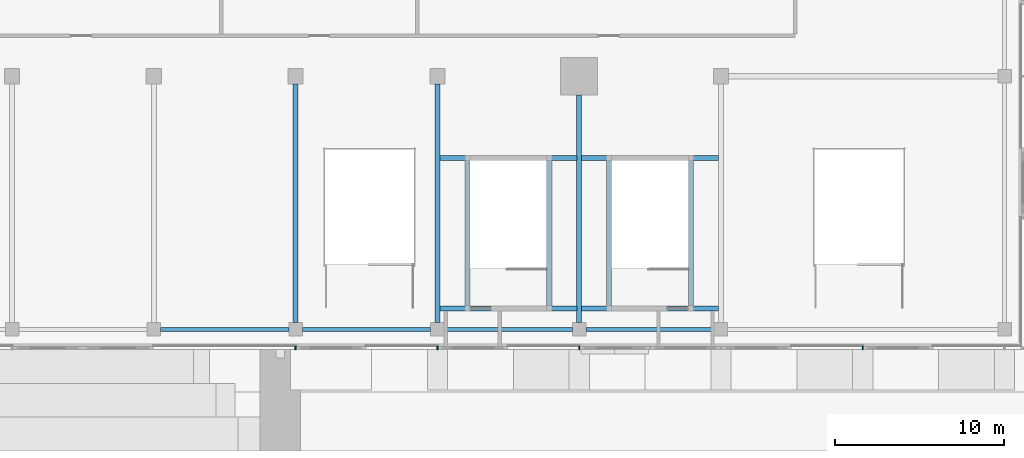
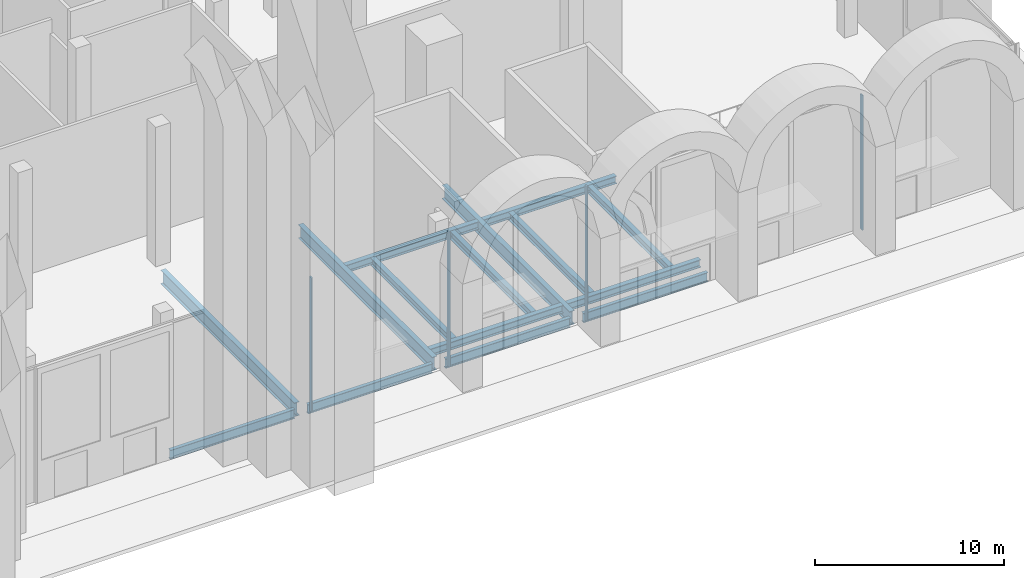
# One storey, part 8 of 43: 15 beams, 4 members, 1 element without a shape of its own.
"""IFC4 building model written with IfcOpenShell, lengths in metres."""

from ifc_helpers import new_model, si_unit, direction, frame, origin, origin_2d, place, context, subcontext, project, spatial, rectangle, i_section, extrude, material, material_profile, profile_set, type_object, element, aggregate, save


model = new_model("IFC4")

# Units and contexts
model_context = context("Model", 3, precision=1e-05, world=origin(), true_north=direction((0.0, 1.0)))
body_context = subcontext(model_context, "Body", "Model", "MODEL_VIEW")
ifc_project = project(units=[si_unit("LENGTHUNIT", "METRE"), si_unit("AREAUNIT", "SQUARE_METRE"), si_unit("VOLUMEUNIT", "CUBIC_METRE"), si_unit("PLANEANGLEUNIT", "RADIAN"), si_unit("MASSUNIT", "GRAM", prefix="KILO")], contexts=[model_context])

# Site, building, storey
site_placement = place(None, origin())
site = spatial("IfcSite", under=ifc_project, at=site_placement, CompositionType="ELEMENT")
building_placement = place(site_placement, origin())
building = spatial("IfcBuilding", under=site, at=building_placement, Name="Saffron Gate Tower", CompositionType="ELEMENT")
storey_placement = place(building_placement, origin())
storey = spatial("IfcBuildingStorey", under=building, at=storey_placement, Name="L00", CompositionType="ELEMENT", Elevation=0.0)

# Beams
ifc_material_1 = material(Name="Structural steel S355", Category="steel")
ifc_material_profile_1 = material_profile(ifc_material_1, i_section(OverallWidth=0.219970703125, OverallDepth=0.60009765625, WebThickness=0.011962890625, FlangeThickness=0.01904296875, FilletRadius=0.02392578125, at=origin_2d()))
ifc_profile_set_1 = profile_set([ifc_material_profile_1], Name="Structural steel S355")
beam_type_1 = type_object("IfcBeamType", Name="B15 IPE 600", PredefinedType="BEAM", material=ifc_profile_set_1)
beam_1_placement = place(storey_placement, frame((92.199951171875, 16.800048828125, -0.60009765625), z_axis=(1.0, 0.0, 0.0), x_axis=(0.0, 1.0, 0.0)))
element("IfcBeam", 1, at=beam_1_placement, inside=storey, type_object=beam_type_1, Name="B15 PODIUM EDGE BEAM", PredefinedType="BEAM", context=body_context, shape_type="SweptSolid", body=[
    extrude(i_section(OverallWidth=0.219970703125, OverallDepth=0.60009765625, WebThickness=0.011962890625, FlangeThickness=0.01904296875, FilletRadius=0.02392578125, at=origin_2d()), origin(), (0.0, 0.0, 1.0), 7.60009765625),
])
beam_2_placement = place(storey_placement, frame((100.60009765625, 16.800048828125, -0.60009765625), z_axis=(1.0, 0.0, 0.0), x_axis=(0.0, 1.0, 0.0)))
element("IfcBeam", 2, at=beam_2_placement, inside=storey, type_object=beam_type_1, Name="B15 PODIUM EDGE BEAM", PredefinedType="BEAM", context=body_context, shape_type="SweptSolid", body=[
    extrude(i_section(OverallWidth=0.219970703125, OverallDepth=0.60009765625, WebThickness=0.011962890625, FlangeThickness=0.01904296875, FilletRadius=0.02392578125, at=origin_2d()), origin(), (0.0, 0.0, 1.0), 7.599853515625),
])
for number, where, z_axis, x_axis, name in (
    (3, (109.0, 16.800048828125, -0.60009765625), (1.0, 0.0, 0.0), (0.0, 1.0, 0.0), "B15 PODIUM EDGE BEAM"),
    (4, (117.39990234375, 16.800048828125, -0.60009765625), (1.0, 0.0, 0.0), (0.0, 1.0, 0.0), "B15 PODIUM EDGE BEAM"),
):
    element("IfcBeam", number, at=place(storey_placement, frame(where, z_axis=z_axis, x_axis=x_axis)), inside=storey, type_object=beam_type_1, Name=name, PredefinedType="BEAM", context=body_context, shape_type="SweptSolid", body=[
        extrude(i_section(OverallWidth=0.219970703125, OverallDepth=0.60009765625, WebThickness=0.011962890625, FlangeThickness=0.01904296875, FilletRadius=0.02392578125, at=origin_2d()), origin(), (0.0, 0.0, 1.0), 7.60009765625),
    ])
ifc_material_profile_2 = material_profile(ifc_material_1, i_section(OverallWidth=0.300048828125, OverallDepth=0.889892578125, WebThickness=0.01611328125, FlangeThickness=0.030029296875, FilletRadius=0.030029296875, at=origin_2d()))
ifc_profile_set_2 = profile_set([ifc_material_profile_2], Name="Structural steel S355")
beam_type_2 = type_object("IfcBeamType", Name="B19 HEA 900", PredefinedType="BEAM", material=ifc_profile_set_2)
for number, where, z_axis, x_axis, name in (
    (5, (100.199951171875, 17.199951171875, -0.7451171875), (0.0, 1.0, 0.0), (-1.0, 0.0, 0.0), "B19 PODIUM RING GIRDER"),
    (6, (108.60009765625, 17.199951171875, -0.7451171875), (0.0, 1.0, 0.0), (-1.0, 0.0, 0.0), "B19 PODIUM RING GIRDER"),
):
    element("IfcBeam", number, at=place(storey_placement, frame(where, z_axis=z_axis, x_axis=x_axis)), inside=storey, type_object=beam_type_2, Name=name, PredefinedType="BEAM", context=body_context, shape_type="SweptSolid", body=[
        extrude(i_section(OverallWidth=0.300048828125, OverallDepth=0.889892578125, WebThickness=0.01611328125, FlangeThickness=0.030029296875, FilletRadius=0.030029296875, at=origin_2d()), origin(), (0.0, 0.0, 1.0), 14.150146484375),
    ])
beam_3_placement = place(storey_placement, frame((117.0, 17.199951171875, -0.7451171875), z_axis=(0.0, 1.0, 0.0), x_axis=(-1.0, 0.0, 0.0)))
element("IfcBeam", 7, at=beam_3_placement, inside=storey, type_object=beam_type_2, Name="B19 PODIUM RING GIRDER", PredefinedType="BEAM", context=body_context, shape_type="SweptSolid", body=[
    extrude(i_section(OverallWidth=0.300048828125, OverallDepth=0.889892578125, WebThickness=0.01611328125, FlangeThickness=0.030029296875, FilletRadius=0.030029296875, at=origin_2d()), origin(), (0.0, 0.0, 1.0), 13.5),
])
ifc_material_profile_3 = material_profile(ifc_material_1, i_section(OverallWidth=0.300048828125, OverallDepth=0.5, WebThickness=0.014404296875, FlangeThickness=0.028076171875, FilletRadius=0.027099609375, at=origin_2d()))
ifc_profile_set_3 = profile_set([ifc_material_profile_3], Name="Structural steel S355")
beam_type_3 = type_object("IfcBeamType", Name="B9 HEB 500", PredefinedType="BEAM", material=ifc_profile_set_3)
for number, where, z_axis, x_axis, name in (
    (8, (117.139892578125, 18.050048828125, -0.550048828125), (1.0, 0.0, 0.0), (0.0, 1.0, 0.0), "B9 STAIR ENCLOSURE HEADER BEAM"),
    (9, (117.139892578125, 26.949951171875, -0.550048828125), (1.0, 0.0, 0.0), (0.0, 1.0, 0.0), "B9 STAIR ENCLOSURE HEADER BEAM"),
):
    element("IfcBeam", number, at=place(storey_placement, frame(where, z_axis=z_axis, x_axis=x_axis)), inside=storey, type_object=beam_type_3, Name=name, PredefinedType="BEAM", context=body_context, shape_type="SweptSolid", body=[
        extrude(i_section(OverallWidth=0.300048828125, OverallDepth=0.5, WebThickness=0.014404296875, FlangeThickness=0.028076171875, FilletRadius=0.027099609375, at=origin_2d()), origin(), (0.0, 0.0, 1.0), 8.1201171875),
    ])
for number, where, z_axis, x_axis, name in (
    (10, (118.77490234375, 18.18994140625, -0.550048828125), (0.0, 1.0, 0.0), (-1.0, 0.0, 0.0), "B9 STAIR ENCLOSURE TRIMMER BEAM"),
    (11, (123.625, 18.18994140625, -0.550048828125), (0.0, 1.0, 0.0), (-1.0, 0.0, 0.0), "B9 STAIR ENCLOSURE TRIMMER BEAM"),
):
    element("IfcBeam", number, at=place(storey_placement, frame(where, z_axis=z_axis, x_axis=x_axis)), inside=storey, type_object=beam_type_3, Name=name, PredefinedType="BEAM", context=body_context, shape_type="SweptSolid", body=[
        extrude(i_section(OverallWidth=0.300048828125, OverallDepth=0.5, WebThickness=0.014404296875, FlangeThickness=0.028076171875, FilletRadius=0.027099609375, at=origin_2d()), origin(), (0.0, 0.0, 1.0), 8.6201171875),
    ])
for number, where, z_axis, x_axis, name in (
    (12, (108.739990234375, 18.050048828125, -0.550048828125), (1.0, 0.0, 0.0), (0.0, 1.0, 0.0), "B9 STAIR ENCLOSURE HEADER BEAM"),
    (13, (108.739990234375, 26.949951171875, -0.550048828125), (1.0, 0.0, 0.0), (0.0, 1.0, 0.0), "B9 STAIR ENCLOSURE HEADER BEAM"),
):
    element("IfcBeam", number, at=place(storey_placement, frame(where, z_axis=z_axis, x_axis=x_axis)), inside=storey, type_object=beam_type_3, Name=name, PredefinedType="BEAM", context=body_context, shape_type="SweptSolid", body=[
        extrude(i_section(OverallWidth=0.300048828125, OverallDepth=0.5, WebThickness=0.014404296875, FlangeThickness=0.028076171875, FilletRadius=0.027099609375, at=origin_2d()), origin(), (0.0, 0.0, 1.0), 8.1201171875),
    ])
for number, where, z_axis, x_axis, name in (
    (14, (110.375, 18.18994140625, -0.550048828125), (0.0, 1.0, 0.0), (-1.0, 0.0, 0.0), "B9 STAIR ENCLOSURE TRIMMER BEAM"),
    (15, (115.22509765625, 18.18994140625, -0.550048828125), (0.0, 1.0, 0.0), (-1.0, 0.0, 0.0), "B9 STAIR ENCLOSURE TRIMMER BEAM"),
):
    element("IfcBeam", number, at=place(storey_placement, frame(where, z_axis=z_axis, x_axis=x_axis)), inside=storey, type_object=beam_type_3, Name=name, PredefinedType="BEAM", context=body_context, shape_type="SweptSolid", body=[
        extrude(i_section(OverallWidth=0.300048828125, OverallDepth=0.5, WebThickness=0.014404296875, FlangeThickness=0.028076171875, FilletRadius=0.027099609375, at=origin_2d()), origin(), (0.0, 0.0, 1.0), 8.6201171875),
    ])

# Curtain wall, members
ifc_material_2 = material(Name="Aluminium, bronze anodised", Category="aluminium")
curtain_wall_type = type_object("IfcCurtainWallType", Name="CWS5 curtain wall podium ring base", PredefinedType="NOTDEFINED", material=ifc_material_2)
curtain_wall_placement = place(storey_placement, origin())
curtain_wall = element("IfcCurtainWall", 16, at=curtain_wall_placement, inside=storey, type_object=curtain_wall_type, Name="CWS5 run 1", PredefinedType="NOTDEFINED")
ifc_material_profile_4 = material_profile(ifc_material_2, rectangle(XDim=0.199951171875, YDim=0.080078125, at=origin_2d()))
ifc_profile_set_4 = profile_set([ifc_material_profile_4], Name="Aluminium, bronze anodised")
member_type = type_object("IfcMemberType", Name="CWS5 mullion 80x200", PredefinedType="MULLION", material=ifc_profile_set_4)
member_1_placement = place(storey_placement, frame((100.199951171875, 15.699951171875, 0.0), z_axis=(0.0, 0.0, 1.0), x_axis=(0.0, 1.0, 0.0)))
member_1 = element("IfcMember", 17, at=member_1_placement, type_object=member_type, Name="CWS5 mullion 10", PredefinedType="MULLION", context=body_context, shape_type="SweptSolid", body=[
    extrude(rectangle(XDim=0.199951171875, YDim=0.080078125, at=origin_2d()), origin(), (0.0, 0.0, 1.0), 8.699951171875),
])
member_2_placement = place(storey_placement, frame((108.60009765625, 15.699951171875, 0.0), z_axis=(0.0, 0.0, 1.0), x_axis=(0.0, 1.0, 0.0)))
member_2 = element("IfcMember", 18, at=member_2_placement, type_object=member_type, Name="CWS5 mullion 11", PredefinedType="MULLION", context=body_context, shape_type="SweptSolid", body=[
    extrude(rectangle(XDim=0.199951171875, YDim=0.080078125, at=origin_2d()), origin(), (0.0, 0.0, 1.0), 8.699951171875),
])
member_3_placement = place(storey_placement, frame((117.0, 15.699951171875, 0.0), z_axis=(0.0, 0.0, 1.0), x_axis=(0.0, 1.0, 0.0)))
member_3 = element("IfcMember", 19, at=member_3_placement, type_object=member_type, Name="CWS5 mullion 12", PredefinedType="MULLION", context=body_context, shape_type="SweptSolid", body=[
    extrude(rectangle(XDim=0.199951171875, YDim=0.080078125, at=origin_2d()), origin(), (0.0, 0.0, 1.0), 8.699951171875),
])
member_4_placement = place(storey_placement, frame((133.800048828125, 15.699951171875, 0.0), z_axis=(0.0, 0.0, 1.0), x_axis=(0.0, 1.0, 0.0)))
member_4 = element("IfcMember", 20, at=member_4_placement, type_object=member_type, Name="CWS5 mullion 14", PredefinedType="MULLION", context=body_context, shape_type="SweptSolid", body=[
    extrude(rectangle(XDim=0.199951171875, YDim=0.080078125, at=origin_2d()), origin(), (0.0, 0.0, 1.0), 8.699951171875),
])
aggregate(curtain_wall, [member_1, member_2, member_3, member_4])

save(model, "model.ifc")
